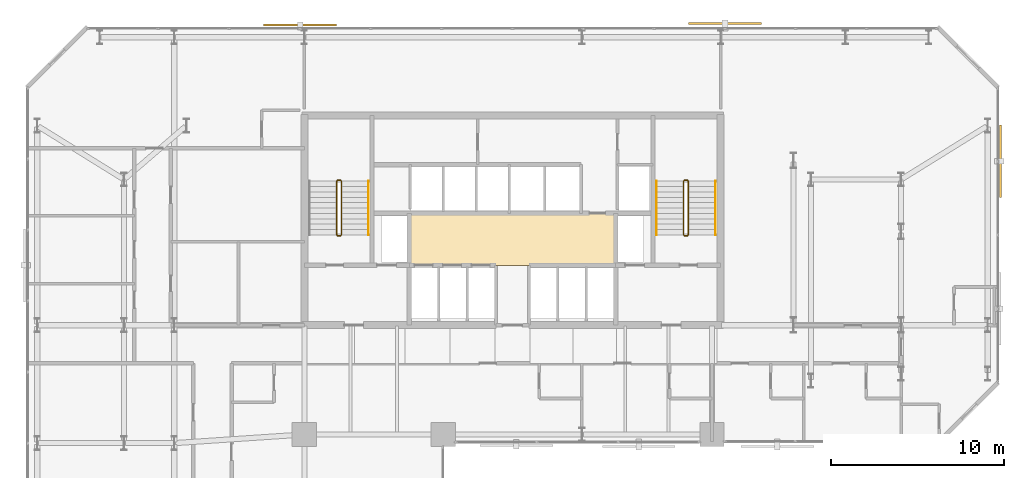
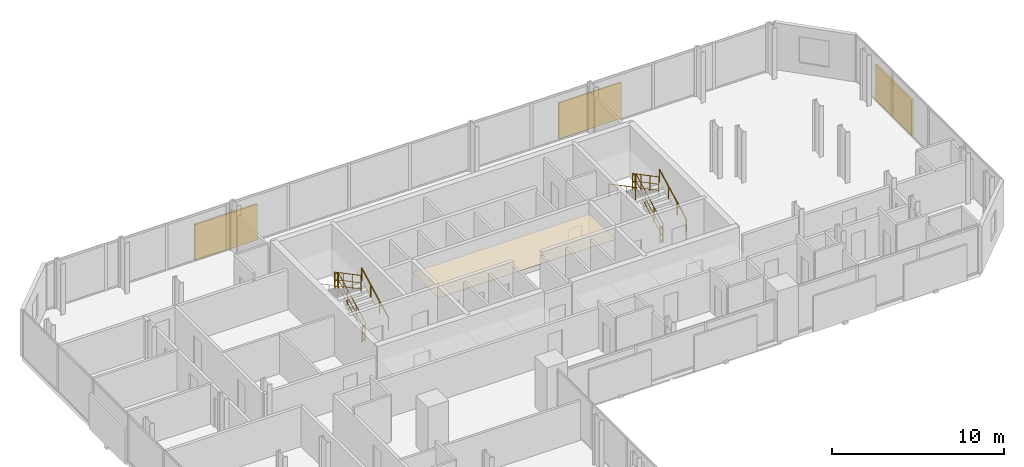
# One storey, part 32 of 32: 11 railings, 3 shading devices, 1 covering.
"""IFC4 building model written with IfcOpenShell, lengths in metres."""

from ifc_helpers import new_model, si_unit, direction, frame, origin, origin_2d, place, context, subcontext, project, spatial, polyline, rectangle, circle, outline, extrude, material, layer, layer_set, type_object, element, save


model = new_model("IFC4")

# Units and contexts
model_context = context("Model", 3, precision=1e-05, world=origin(), true_north=direction((0.0, 1.0)))
body_context = subcontext(model_context, "Body", "Model", "MODEL_VIEW")
ifc_project = project(units=[si_unit("LENGTHUNIT", "METRE"), si_unit("AREAUNIT", "SQUARE_METRE"), si_unit("VOLUMEUNIT", "CUBIC_METRE"), si_unit("PLANEANGLEUNIT", "RADIAN"), si_unit("MASSUNIT", "GRAM", prefix="KILO")], contexts=[model_context])

# Site, building, storey
site_placement = place(None, origin())
site = spatial("IfcSite", under=ifc_project, at=site_placement, CompositionType="ELEMENT")
building_placement = place(site_placement, origin())
building = spatial("IfcBuilding", under=site, at=building_placement, Name="Catumbela Crestline Tower", CompositionType="ELEMENT")
storey_placement = place(building_placement, frame((0.0, 0.0, 65.4)))
storey = spatial("IfcBuildingStorey", under=building, at=storey_placement, Name="L16", CompositionType="ELEMENT", Elevation=65.4)

# Covering
ifc_material_1 = material(Name="Mineral-fibre acoustic ceiling")
ifc_layer = layer(ifc_material_1, 0.03, Name="Mineral-fibre acoustic ceiling")
ifc_layer_set = layer_set([ifc_layer], Name="Mineral-fibre acoustic ceiling")
covering_type = type_object("IfcCoveringType", Name="CC-AC", PredefinedType="CEILING", material=ifc_layer_set)
covering_placement = place(storey_placement, frame((0.0, 0.0, 2.65)))
element("IfcCovering", 1, at=covering_placement, inside=storey, type_object=covering_type, Name="L16 Lift Lobby Acoustic Ceiling", PredefinedType="CEILING", context=body_context, shape_type="SweptSolid", body=[
    extrude(outline(polyline([(22.05, 34.25), (33.95, 34.25), (33.95, 37.25), (22.05, 37.25), (22.05, 34.25)])), origin(), (0.0, 0.0, 1.0), 0.03),
])

# Railings
ifc_material_2 = material(Name="Stainless steel EN 1.4401", Category="steel")
railing_type_1 = type_object("IfcRailingType", Name="RG-1100", PredefinedType="GUARDRAIL", material=ifc_material_2)
railing_1_placement = place(storey_placement, frame((18.14, 36.0, 0.1636)))
element("IfcRailing", 2, at=railing_1_placement, inside=storey, type_object=railing_type_1, Name="L16 ST-01 stair guard 1", PredefinedType="GUARDRAIL", context=body_context, shape_type="SweptSolid", body=[
    extrude(circle(Radius=0.024, at=origin_2d()), frame((0.0, 0.0, 1.076), z_axis=(0.0, 0.884350731049, 0.466823076222), x_axis=(-1.0, 0.0, 0.0)), (0.0, 0.0, 1.0), 3.5054),
    extrude(circle(Radius=0.0156, at=origin_2d()), frame((0.0, 0.0, 0.55), z_axis=(0.0, 0.884350731049, 0.466823076222), x_axis=(-1.0, 0.0, 0.0)), (0.0, 0.0, 1.0), 3.5054),
    extrude(circle(Radius=0.0156, at=origin_2d()), frame((0.0, 0.0, 0.12), z_axis=(0.0, 0.884350731049, 0.466823076222), x_axis=(-1.0, 0.0, 0.0)), (0.0, 0.0, 1.0), 3.5054),
    extrude(circle(Radius=0.021, at=origin_2d()), origin(), (0.0, 0.0, 1.0), 1.052),
    extrude(circle(Radius=0.021, at=origin_2d()), frame((0.0, 1.0333, 0.5455)), (0.0, 0.0, 1.0), 1.052),
    extrude(circle(Radius=0.021, at=origin_2d()), frame((0.0, 2.0667, 1.0909)), (0.0, 0.0, 1.0), 1.052),
    extrude(circle(Radius=0.021, at=origin_2d()), frame((0.0, 3.1, 1.6364)), (0.0, 0.0, 1.0), 1.052),
])
railing_2_placement = place(storey_placement, frame((18.09, 39.15, 1.8)))
element("IfcRailing", 3, at=railing_2_placement, inside=storey, type_object=railing_type_1, Name="L16 ST-01 stair guard 2", PredefinedType="GUARDRAIL", context=body_context, shape_type="SweptSolid", body=[
    extrude(circle(Radius=0.024, at=origin_2d()), frame((0.0, 0.0, 1.076), z_axis=(-1.0, 0.0, 0.0), x_axis=(0.0, -1.0, 0.0)), (0.0, 0.0, 1.0), 0.18),
    extrude(circle(Radius=0.0156, at=origin_2d()), frame((0.0, 0.0, 0.55), z_axis=(-1.0, 0.0, 0.0), x_axis=(0.0, -1.0, 0.0)), (0.0, 0.0, 1.0), 0.18),
    extrude(circle(Radius=0.0156, at=origin_2d()), frame((0.0, 0.0, 0.12), z_axis=(-1.0, 0.0, 0.0), x_axis=(0.0, -1.0, 0.0)), (0.0, 0.0, 1.0), 0.18),
    extrude(circle(Radius=0.021, at=origin_2d()), origin(), (0.0, 0.0, 1.0), 1.052),
    extrude(circle(Radius=0.021, at=origin_2d()), frame((-0.18, 0.0, 0.0)), (0.0, 0.0, 1.0), 1.052),
])
railing_3_placement = place(storey_placement, frame((17.86, 39.1, 1.9636)))
element("IfcRailing", 4, at=railing_3_placement, inside=storey, type_object=railing_type_1, Name="L16 ST-01 stair guard 3", PredefinedType="GUARDRAIL", context=body_context, shape_type="SweptSolid", body=[
    extrude(circle(Radius=0.024, at=origin_2d()), frame((0.0, 0.0, 1.076), z_axis=(0.0, -0.884350731049, 0.466823076222), x_axis=(1.0, 0.0, 0.0)), (0.0, 0.0, 1.0), 3.5054),
    extrude(circle(Radius=0.0156, at=origin_2d()), frame((0.0, 0.0, 0.55), z_axis=(0.0, -0.884350731049, 0.466823076222), x_axis=(1.0, 0.0, 0.0)), (0.0, 0.0, 1.0), 3.5054),
    extrude(circle(Radius=0.0156, at=origin_2d()), frame((0.0, 0.0, 0.12), z_axis=(0.0, -0.884350731049, 0.466823076222), x_axis=(1.0, 0.0, 0.0)), (0.0, 0.0, 1.0), 3.5054),
    extrude(circle(Radius=0.021, at=origin_2d()), origin(), (0.0, 0.0, 1.0), 1.052),
    extrude(circle(Radius=0.021, at=origin_2d()), frame((0.0, -1.0333, 0.5455)), (0.0, 0.0, 1.0), 1.052),
    extrude(circle(Radius=0.021, at=origin_2d()), frame((0.0, -2.0667, 1.0909)), (0.0, 0.0, 1.0), 1.052),
    extrude(circle(Radius=0.021, at=origin_2d()), frame((0.0, -3.1, 1.6364)), (0.0, 0.0, 1.0), 1.052),
])
railing_4_placement = place(storey_placement, frame((18.09, 35.95, 0.0)))
element("IfcRailing", 5, at=railing_4_placement, inside=storey, type_object=railing_type_1, Name="L16 ST-01 stair guard 4", PredefinedType="GUARDRAIL", context=body_context, shape_type="SweptSolid", body=[
    extrude(circle(Radius=0.024, at=origin_2d()), frame((0.0, 0.0, 1.076), z_axis=(-1.0, 0.0, 0.0), x_axis=(0.0, -1.0, 0.0)), (0.0, 0.0, 1.0), 0.18),
    extrude(circle(Radius=0.0156, at=origin_2d()), frame((0.0, 0.0, 0.55), z_axis=(-1.0, 0.0, 0.0), x_axis=(0.0, -1.0, 0.0)), (0.0, 0.0, 1.0), 0.18),
    extrude(circle(Radius=0.0156, at=origin_2d()), frame((0.0, 0.0, 0.12), z_axis=(-1.0, 0.0, 0.0), x_axis=(0.0, -1.0, 0.0)), (0.0, 0.0, 1.0), 0.18),
    extrude(circle(Radius=0.021, at=origin_2d()), origin(), (0.0, 0.0, 1.0), 1.052),
    extrude(circle(Radius=0.021, at=origin_2d()), frame((-0.18, 0.0, 0.0)), (0.0, 0.0, 1.0), 1.052),
])
railing_5_placement = place(storey_placement, frame((38.14, 36.0, 0.1636)))
element("IfcRailing", 6, at=railing_5_placement, inside=storey, type_object=railing_type_1, Name="L16 ST-02 stair guard 1", PredefinedType="GUARDRAIL", context=body_context, shape_type="SweptSolid", body=[
    extrude(circle(Radius=0.024, at=origin_2d()), frame((0.0, 0.0, 1.076), z_axis=(0.0, 0.884350731049, 0.466823076222), x_axis=(-1.0, 0.0, 0.0)), (0.0, 0.0, 1.0), 3.5054),
    extrude(circle(Radius=0.0156, at=origin_2d()), frame((0.0, 0.0, 0.55), z_axis=(0.0, 0.884350731049, 0.466823076222), x_axis=(-1.0, 0.0, 0.0)), (0.0, 0.0, 1.0), 3.5054),
    extrude(circle(Radius=0.0156, at=origin_2d()), frame((0.0, 0.0, 0.12), z_axis=(0.0, 0.884350731049, 0.466823076222), x_axis=(-1.0, 0.0, 0.0)), (0.0, 0.0, 1.0), 3.5054),
    extrude(circle(Radius=0.021, at=origin_2d()), origin(), (0.0, 0.0, 1.0), 1.052),
    extrude(circle(Radius=0.021, at=origin_2d()), frame((0.0, 1.0333, 0.5455)), (0.0, 0.0, 1.0), 1.052),
    extrude(circle(Radius=0.021, at=origin_2d()), frame((0.0, 2.0667, 1.0909)), (0.0, 0.0, 1.0), 1.052),
    extrude(circle(Radius=0.021, at=origin_2d()), frame((0.0, 3.1, 1.6364)), (0.0, 0.0, 1.0), 1.052),
])
railing_6_placement = place(storey_placement, frame((38.09, 39.15, 1.8)))
element("IfcRailing", 7, at=railing_6_placement, inside=storey, type_object=railing_type_1, Name="L16 ST-02 stair guard 2", PredefinedType="GUARDRAIL", context=body_context, shape_type="SweptSolid", body=[
    extrude(circle(Radius=0.024, at=origin_2d()), frame((0.0, 0.0, 1.076), z_axis=(-1.0, 0.0, 0.0), x_axis=(0.0, -1.0, 0.0)), (0.0, 0.0, 1.0), 0.18),
    extrude(circle(Radius=0.0156, at=origin_2d()), frame((0.0, 0.0, 0.55), z_axis=(-1.0, 0.0, 0.0), x_axis=(0.0, -1.0, 0.0)), (0.0, 0.0, 1.0), 0.18),
    extrude(circle(Radius=0.0156, at=origin_2d()), frame((0.0, 0.0, 0.12), z_axis=(-1.0, 0.0, 0.0), x_axis=(0.0, -1.0, 0.0)), (0.0, 0.0, 1.0), 0.18),
    extrude(circle(Radius=0.021, at=origin_2d()), origin(), (0.0, 0.0, 1.0), 1.052),
    extrude(circle(Radius=0.021, at=origin_2d()), frame((-0.18, 0.0, 0.0)), (0.0, 0.0, 1.0), 1.052),
])
railing_7_placement = place(storey_placement, frame((37.86, 39.1, 1.9636)))
element("IfcRailing", 8, at=railing_7_placement, inside=storey, type_object=railing_type_1, Name="L16 ST-02 stair guard 3", PredefinedType="GUARDRAIL", context=body_context, shape_type="SweptSolid", body=[
    extrude(circle(Radius=0.024, at=origin_2d()), frame((0.0, 0.0, 1.076), z_axis=(0.0, -0.884350731049, 0.466823076222), x_axis=(1.0, 0.0, 0.0)), (0.0, 0.0, 1.0), 3.5054),
    extrude(circle(Radius=0.0156, at=origin_2d()), frame((0.0, 0.0, 0.55), z_axis=(0.0, -0.884350731049, 0.466823076222), x_axis=(1.0, 0.0, 0.0)), (0.0, 0.0, 1.0), 3.5054),
    extrude(circle(Radius=0.0156, at=origin_2d()), frame((0.0, 0.0, 0.12), z_axis=(0.0, -0.884350731049, 0.466823076222), x_axis=(1.0, 0.0, 0.0)), (0.0, 0.0, 1.0), 3.5054),
    extrude(circle(Radius=0.021, at=origin_2d()), origin(), (0.0, 0.0, 1.0), 1.052),
    extrude(circle(Radius=0.021, at=origin_2d()), frame((0.0, -1.0333, 0.5455)), (0.0, 0.0, 1.0), 1.052),
    extrude(circle(Radius=0.021, at=origin_2d()), frame((0.0, -2.0667, 1.0909)), (0.0, 0.0, 1.0), 1.052),
    extrude(circle(Radius=0.021, at=origin_2d()), frame((0.0, -3.1, 1.6364)), (0.0, 0.0, 1.0), 1.052),
])
railing_8_placement = place(storey_placement, frame((38.09, 35.95, 0.0)))
element("IfcRailing", 9, at=railing_8_placement, inside=storey, type_object=railing_type_1, Name="L16 ST-02 stair guard 4", PredefinedType="GUARDRAIL", context=body_context, shape_type="SweptSolid", body=[
    extrude(circle(Radius=0.024, at=origin_2d()), frame((0.0, 0.0, 1.076), z_axis=(-1.0, 0.0, 0.0), x_axis=(0.0, -1.0, 0.0)), (0.0, 0.0, 1.0), 0.18),
    extrude(circle(Radius=0.0156, at=origin_2d()), frame((0.0, 0.0, 0.55), z_axis=(-1.0, 0.0, 0.0), x_axis=(0.0, -1.0, 0.0)), (0.0, 0.0, 1.0), 0.18),
    extrude(circle(Radius=0.0156, at=origin_2d()), frame((0.0, 0.0, 0.12), z_axis=(-1.0, 0.0, 0.0), x_axis=(0.0, -1.0, 0.0)), (0.0, 0.0, 1.0), 0.18),
    extrude(circle(Radius=0.021, at=origin_2d()), origin(), (0.0, 0.0, 1.0), 1.052),
    extrude(circle(Radius=0.021, at=origin_2d()), frame((-0.18, 0.0, 0.0)), (0.0, 0.0, 1.0), 1.052),
])
railing_type_2 = type_object("IfcRailingType", Name="RH-0900", PredefinedType="HANDRAIL", material=ifc_material_2)
for number, where, name in (
    (10, (19.7, 36.0, 0.1636), "L16 ST-01 stair handrail 1"),
    (11, (39.7, 36.0, 0.1636), "L16 ST-02 stair handrail 1"),
):
    element("IfcRailing", number, at=place(storey_placement, frame(where)), inside=storey, type_object=railing_type_2, Name=name, PredefinedType="HANDRAIL", context=body_context, shape_type="SweptSolid", body=[
        extrude(circle(Radius=0.024, at=origin_2d()), frame((0.0, 0.0, 0.876), z_axis=(0.0, 0.884350731049, 0.466823076222), x_axis=(-1.0, 0.0, 0.0)), (0.0, 0.0, 1.0), 3.5054),
        extrude(circle(Radius=0.021, at=origin_2d()), origin(), (0.0, 0.0, 1.0), 0.852),
        extrude(circle(Radius=0.021, at=origin_2d()), frame((0.0, 1.0333, 0.5455)), (0.0, 0.0, 1.0), 0.852),
        extrude(circle(Radius=0.021, at=origin_2d()), frame((0.0, 2.0667, 1.0909)), (0.0, 0.0, 1.0), 0.852),
        extrude(circle(Radius=0.021, at=origin_2d()), frame((0.0, 3.1, 1.6364)), (0.0, 0.0, 1.0), 0.852),
    ])
railing_9_placement = place(storey_placement, frame((36.3, 39.1, 1.9636)))
element("IfcRailing", 12, at=railing_9_placement, inside=storey, type_object=railing_type_2, Name="L16 ST-02 stair handrail 2", PredefinedType="HANDRAIL", context=body_context, shape_type="SweptSolid", body=[
    extrude(circle(Radius=0.024, at=origin_2d()), frame((0.0, 0.0, 0.876), z_axis=(0.0, -0.884350731049, 0.466823076222), x_axis=(1.0, 0.0, 0.0)), (0.0, 0.0, 1.0), 3.5054),
    extrude(circle(Radius=0.021, at=origin_2d()), origin(), (0.0, 0.0, 1.0), 0.852),
    extrude(circle(Radius=0.021, at=origin_2d()), frame((0.0, -1.0333, 0.5455)), (0.0, 0.0, 1.0), 0.852),
    extrude(circle(Radius=0.021, at=origin_2d()), frame((0.0, -2.0667, 1.0909)), (0.0, 0.0, 1.0), 0.852),
    extrude(circle(Radius=0.021, at=origin_2d()), frame((0.0, -3.1, 1.6364)), (0.0, 0.0, 1.0), 0.852),
])

# Shading devices
ifc_material_3 = material(Name="Extruded terracotta ceramic", Category="masonry")
shading_device_type_1 = type_object("IfcShadingDeviceType", Name="ST-180", PredefinedType="USERDEFINED", material=ifc_material_3)
shading_device_1_placement = place(storey_placement, frame((15.75, 48.099, -0.1), z_axis=(0.0, 0.0, 1.0), x_axis=(-1.0, 0.0, 0.0)))
element("IfcShadingDevice", 13, at=shading_device_1_placement, inside=storey, type_object=shading_device_type_1, Name="L16 Perforated Terracotta Solar Screen 166 (180 mm)", ObjectType="SCREEN", PredefinedType="USERDEFINED", context=body_context, shape_type="SweptSolid", body=[
    extrude(rectangle(XDim=4.2, YDim=0.12, at=origin_2d()), origin(), (0.0, 0.0, 1.0), 2.55),
])
shading_device_type_2 = type_object("IfcShadingDeviceType", Name="ST-260", PredefinedType="USERDEFINED", material=ifc_material_3)
shading_device_2_placement = place(storey_placement, frame((56.143, 40.25, -0.1), z_axis=(0.0, 0.0, 1.0), x_axis=(0.0, 1.0, 0.0)))
element("IfcShadingDevice", 14, at=shading_device_2_placement, inside=storey, type_object=shading_device_type_2, Name="L16 Perforated Terracotta Solar Screen 164 (260 mm)", ObjectType="SCREEN", PredefinedType="USERDEFINED", context=body_context, shape_type="SweptSolid", body=[
    extrude(rectangle(XDim=4.2, YDim=0.12, at=origin_2d()), origin(), (0.0, 0.0, 1.0), 2.55),
])
shading_device_type_3 = type_object("IfcShadingDeviceType", Name="ST-340", PredefinedType="USERDEFINED", material=ifc_material_3)
shading_device_3_placement = place(storey_placement, frame((40.25, 48.187, -0.1), z_axis=(0.0, 0.0, 1.0), x_axis=(-1.0, 0.0, 0.0)))
element("IfcShadingDevice", 15, at=shading_device_3_placement, inside=storey, type_object=shading_device_type_3, Name="L16 Perforated Terracotta Solar Screen 165 (340 mm)", ObjectType="SCREEN", PredefinedType="USERDEFINED", context=body_context, shape_type="SweptSolid", body=[
    extrude(rectangle(XDim=4.2, YDim=0.12, at=origin_2d()), origin(), (0.0, 0.0, 1.0), 2.55),
])

save(model, "model.ifc")
